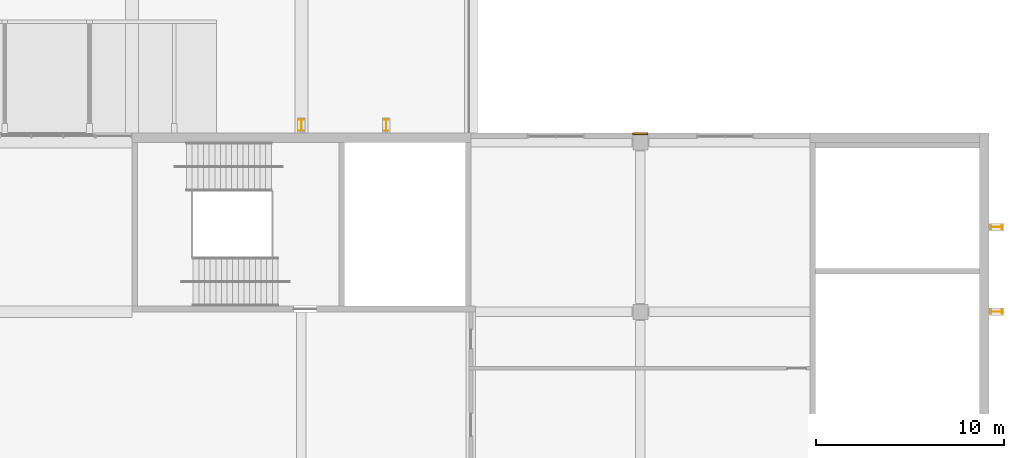
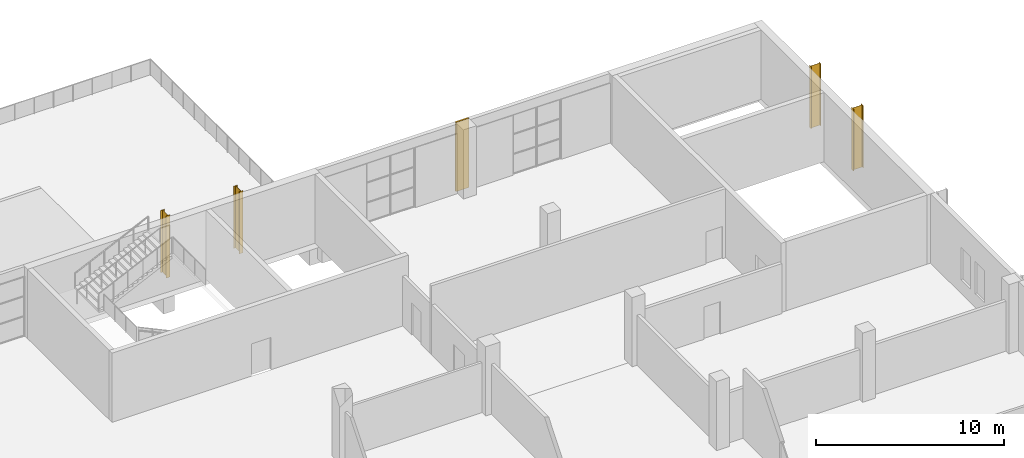
# One storey, part 167 of 168: 4 shading devices, 1 covering.
"""IFC4 building model written with IfcOpenShell, lengths in metres."""

from ifc_helpers import new_model, si_unit, direction, frame, origin, origin_2d, place, context, subcontext, project, spatial, polyline, i_section, outline, extrude, material, layer, layer_set, material_profile, profile_set, type_object, element, save


model = new_model("IFC4")

# Units and contexts
model_context = context("Model", 3, precision=1e-05, world=origin(), true_north=direction((0.0, 1.0)))
body_context = subcontext(model_context, "Body", "Model", "MODEL_VIEW")
ifc_project = project(units=[si_unit("LENGTHUNIT", "METRE"), si_unit("AREAUNIT", "SQUARE_METRE"), si_unit("VOLUMEUNIT", "CUBIC_METRE"), si_unit("PLANEANGLEUNIT", "RADIAN"), si_unit("MASSUNIT", "GRAM", prefix="KILO")], contexts=[model_context])

# Site, building, storey
site_placement = place(None, origin())
site = spatial("IfcSite", under=ifc_project, at=site_placement, CompositionType="ELEMENT")
building_placement = place(site_placement, origin())
building = spatial("IfcBuilding", under=site, at=building_placement, Name="Silverbay Arena", CompositionType="ELEMENT")
storey_placement = place(building_placement, frame((0.0, 0.0, 7.0)))
storey = spatial("IfcBuildingStorey", under=building, at=storey_placement, Name="L01", CompositionType="ELEMENT", Elevation=7.0)

# Covering
ifc_material_1 = material(Name="Aluminium composite cladding", Category="aluminium")
ifc_layer = layer(ifc_material_1, 0.10009765625)
ifc_layer_set = layer_set([ifc_layer], Name="Aluminium composite cladding")
covering_type = type_object("IfcCoveringType", Name="Column cladding 100", PredefinedType="CLADDING", material=ifc_layer_set)
covering_placement = place(storey_placement, origin())
element("IfcCovering", 1, at=covering_placement, inside=storey, type_object=covering_type, Name="North column cladding L01 74", PredefinedType="CLADDING", context=body_context, shape_type="SweptSolid", body=[
    extrude(outline(polyline([(215.60009765625, 144.39990234375), (216.39990234375, 144.39990234375), (216.39990234375, 144.5), (215.60009765625, 144.5), (215.60009765625, 144.39990234375)])), origin(), (0.0, 0.0, 1.0), 4.5),
])

# Shading devices
ifc_material_2 = material(Name="Steel S355", Category="steel")
ifc_material_profile = material_profile(ifc_material_2, i_section(OverallWidth=0.2275390625, OverallDepth=0.6025390625, WebThickness=0.010498046875, FlangeThickness=0.014892578125, at=origin_2d()), Name="UB 610x229x101")
ifc_profile_set = profile_set([ifc_material_profile], Name="Steel S355")
shading_device_type = type_object("IfcShadingDeviceType", Name="Steel fin UB 610x229x101", PredefinedType="USERDEFINED", material=ifc_profile_set)
for number, where, z_axis, x_axis, name in (
    (2, (234.9013671875, 135.0, 0.449951171875), (0.0, 0.0, 1.0), (0.0, 1.0, 0.0), "Steel fin E L01 26"),
    (3, (234.9013671875, 139.5, 0.449951171875), (0.0, 0.0, 1.0), (0.0, 1.0, 0.0), "Steel fin E L01 27"),
    (4, (198.0, 144.9013671875, 0.449951171875), (0.0, 0.0, 1.0), (1.0, 0.0, 0.0), "Steel fin N L01 32"),
    (5, (202.5, 144.9013671875, 0.449951171875), (0.0, 0.0, 1.0), (1.0, 0.0, 0.0), "Steel fin N L01 33"),
):
    element("IfcShadingDevice", number, at=place(storey_placement, frame(where, z_axis=z_axis, x_axis=x_axis)), inside=storey, type_object=shading_device_type, Name=name, ObjectType="FIN", PredefinedType="USERDEFINED", context=body_context, shape_type="SweptSolid", body=[
        extrude(i_section(OverallWidth=0.2275390625, OverallDepth=0.6025390625, WebThickness=0.010498046875, FlangeThickness=0.014892578125, at=origin_2d()), origin(), (0.0, 0.0, 1.0), 4.050048828125),
    ])

save(model, "model.ifc")
